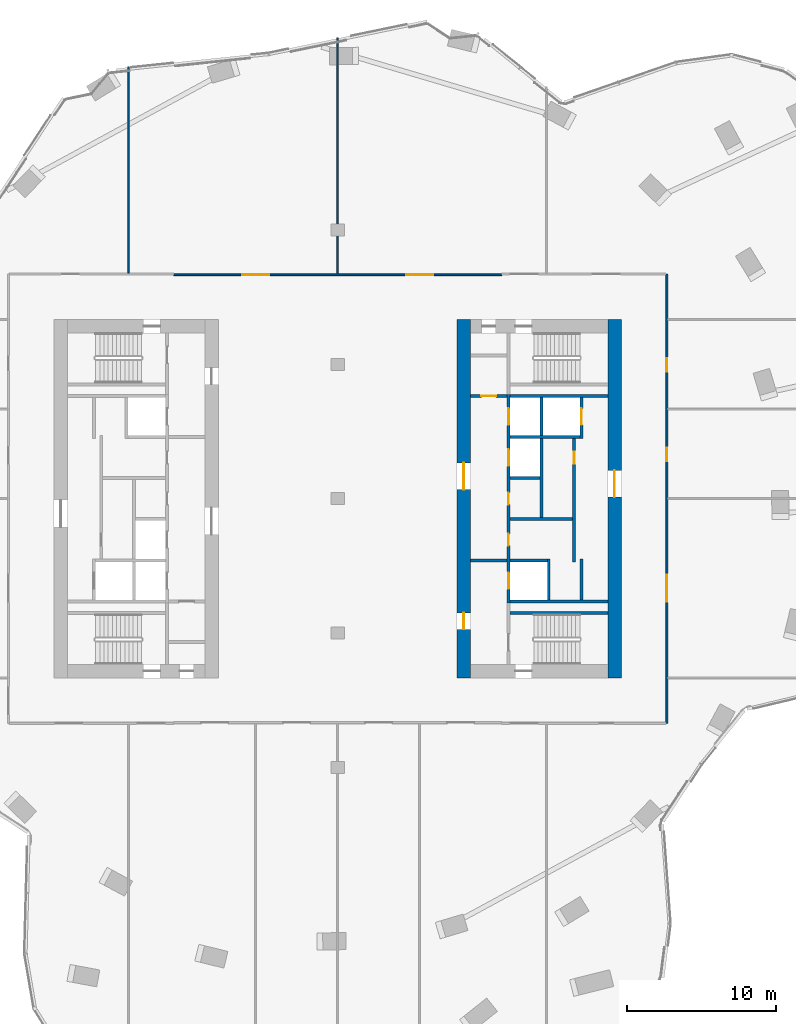
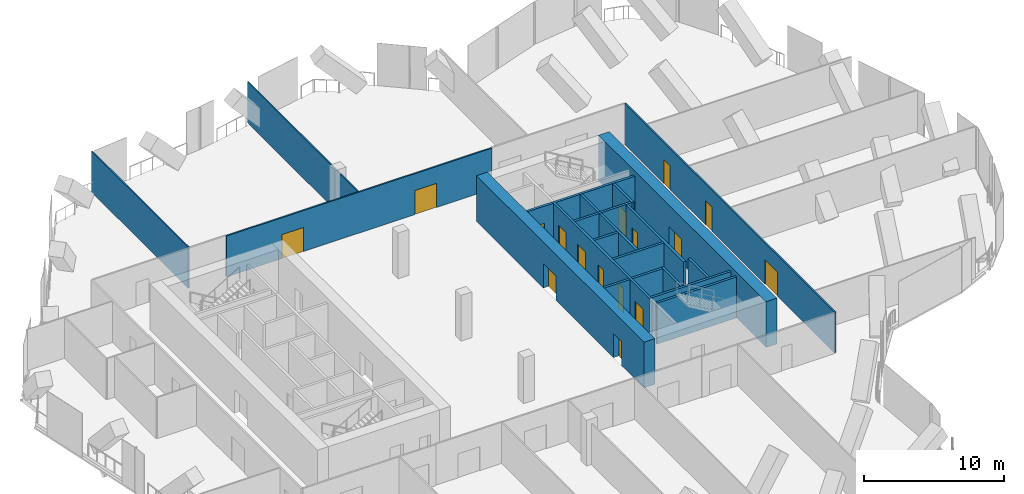
# One storey, part 21 of 26: 22 walls, 16 doors, 16 openings.
"""IFC4 building model written with IfcOpenShell, lengths in metres."""

from ifc_helpers import new_model, si_unit, direction, frame, frame_2d, origin, place, context, subcontext, project, spatial, rectangle, extrude, material, layer, layer_set, type_object, element, fill, save


model = new_model("IFC4")

# Units and contexts
model_context = context("Model", 3, precision=1e-05, world=origin(), true_north=direction((0.0, 1.0)))
body_context = subcontext(model_context, "Body", "Model", "MODEL_VIEW")
ifc_project = project(units=[si_unit("LENGTHUNIT", "METRE"), si_unit("AREAUNIT", "SQUARE_METRE"), si_unit("VOLUMEUNIT", "CUBIC_METRE"), si_unit("PLANEANGLEUNIT", "RADIAN"), si_unit("MASSUNIT", "GRAM", prefix="KILO")], contexts=[model_context])

# Site, building, storey
site_placement = place(None, origin())
site = spatial("IfcSite", under=ifc_project, at=site_placement, CompositionType="ELEMENT")
building_placement = place(site_placement, origin())
building = spatial("IfcBuilding", under=site, at=building_placement, Name="Orlundy Tower", CompositionType="ELEMENT")
storey_placement = place(building_placement, frame((0.0, 0.0, 228.0)))
storey = spatial("IfcBuildingStorey", under=building, at=storey_placement, Name="L60", CompositionType="ELEMENT", Elevation=228.0)

# Wall, openings, doors
ifc_material_1 = material(Name="Concrete C60/75", Category="concrete")
ifc_layer_1 = layer(ifc_material_1, 0.89990234375)
ifc_layer_set_1 = layer_set([ifc_layer_1], Name="CORE WALL 900 C60/75")
wall_type_1 = type_object("IfcWallType", Name="CORE WALL 900 C60/75", PredefinedType="SHEAR", material=ifc_layer_set_1)
wall_1_placement = place(storey_placement, frame((8.449951171875, -12.0, 0.0), z_axis=(0.0, 0.0, 1.0), x_axis=(0.0, 1.0, 0.0)))
wall_1 = element("IfcWall", 1, at=wall_1_placement, inside=storey, type_object=wall_type_1, Name="Core wall E-W L60", PredefinedType="SHEAR", context=body_context, shape_type="SweptSolid", body=[
    extrude(rectangle(XDim=24.0, YDim=0.89990234375, at=frame_2d((12.0, 0.0))), origin(), (0.0, 0.0, 1.0), 4.0),
])
opening_1_placement = place(wall_1_placement, frame((12.60009765625, 0.0, 0.0)))
opening_1 = element("IfcOpeningElement", 2, at=opening_1_placement, cuts=wall_1, Name="Opening 46057", PredefinedType="OPENING", context=body_context, shape_type="SweptSolid", body=[
    extrude(rectangle(XDim=1.800048828125, YDim=2.10009765625, at=frame_2d((0.89990234375, 1.050048828125))), frame((0.0, 0.4599609375, 0.0), z_axis=(0.0, -1.0, 0.0), x_axis=(1.0, 0.0, 0.0)), (0.0, 0.0, 1.0), 0.919921875),
])
opening_2_placement = place(wall_1_placement, frame((3.25, 0.0, 0.0)))
opening_2 = element("IfcOpeningElement", 3, at=opening_2_placement, cuts=wall_1, Name="Opening 46059", PredefinedType="OPENING", context=body_context, shape_type="SweptSolid", body=[
    extrude(rectangle(XDim=1.10009765625, YDim=2.10009765625, at=frame_2d((0.550048828125, 1.050048828125))), frame((0.0, 0.4599609375, 0.0), z_axis=(0.0, -1.0, 0.0), x_axis=(1.0, 0.0, 0.0)), (0.0, 0.0, 1.0), 0.919921875),
])
ifc_material_2 = material(Name="Steel door set", Category="steel")
door_type_1 = type_object("IfcDoorType", Name="Fire-fighting Lobby Door 1100x2100", OperationType="SINGLE_SWING_LEFT", PredefinedType="DOOR", material=ifc_material_2)
door_1_placement = place(opening_2_placement, origin())
door_1 = element("IfcDoor", 4, at=door_1_placement, inside=storey, type_object=door_type_1, Name="Fire-fighting lobby door 46059", OperationType="SINGLE_SWING_LEFT", OverallHeight=2.10009765625, OverallWidth=1.10009765625, PredefinedType="DOOR", context=body_context, shape_type="SweptSolid", body=[
    extrude(rectangle(XDim=1.10009765625, YDim=2.10009765625, at=frame_2d((0.550048828125, 1.050048828125))), frame((0.0, 0.02490234375, 0.0), z_axis=(0.0, -1.0, 0.0), x_axis=(1.0, 0.0, 0.0)), (0.0, 0.0, 1.0), 0.050048828125),
])
fill(opening_2, door_1)
ifc_material_3 = material(Name="Timber door set", Category="wood")
door_type_2 = type_object("IfcDoorType", Name="Lobby Door 1800x2100", OperationType="DOUBLE_DOOR_DOUBLE_SWING", PredefinedType="DOOR", material=ifc_material_3)
door_2_placement = place(opening_1_placement, origin())
door_2 = element("IfcDoor", 5, at=door_2_placement, inside=storey, type_object=door_type_2, Name="Lift lobby door 46057", OperationType="SINGLE_SWING_RIGHT", OverallHeight=2.10009765625, OverallWidth=1.800048828125, PredefinedType="DOOR", context=body_context, shape_type="SweptSolid", body=[
    extrude(rectangle(XDim=1.800048828125, YDim=2.10009765625, at=frame_2d((0.89990234375, 1.050048828125))), frame((0.0, 0.02490234375, 0.0), z_axis=(0.0, -1.0, 0.0), x_axis=(1.0, 0.0, 0.0)), (0.0, 0.0, 1.0), 0.050048828125),
])
fill(opening_1, door_2)

# Wall, opening, door
wall_2_placement = place(storey_placement, frame((18.550048828125, -12.0, 0.0), z_axis=(0.0, 0.0, 1.0), x_axis=(0.0, 1.0, 0.0)))
wall_2 = element("IfcWall", 6, at=wall_2_placement, inside=storey, type_object=wall_type_1, Name="Core wall E-E L60", PredefinedType="SHEAR", context=body_context, shape_type="SweptSolid", body=[
    extrude(rectangle(XDim=24.0, YDim=0.89990234375, at=frame_2d((12.0, 0.0))), origin(), (0.0, 0.0, 1.0), 4.0),
])
opening_3_placement = place(wall_2_placement, frame((12.10009765625, 0.0, 0.0)))
opening_3 = element("IfcOpeningElement", 7, at=opening_3_placement, cuts=wall_2, Name="Opening 46058", PredefinedType="OPENING", context=body_context, shape_type="SweptSolid", body=[
    extrude(rectangle(XDim=1.800048828125, YDim=2.10009765625, at=frame_2d((0.89990234375, 1.050048828125))), frame((0.0, 0.4599609375, 0.0), z_axis=(0.0, -1.0, 0.0), x_axis=(1.0, 0.0, 0.0)), (0.0, 0.0, 1.0), 0.919921875),
])
door_3_placement = place(opening_3_placement, origin())
door_3 = element("IfcDoor", 8, at=door_3_placement, inside=storey, type_object=door_type_2, Name="Lift lobby door 46058", OperationType="SINGLE_SWING_RIGHT", OverallHeight=2.10009765625, OverallWidth=1.800048828125, PredefinedType="DOOR", context=body_context, shape_type="SweptSolid", body=[
    extrude(rectangle(XDim=1.800048828125, YDim=2.10009765625, at=frame_2d((0.89990234375, 1.050048828125))), frame((0.0, 0.02490234375, 0.0), z_axis=(0.0, -1.0, 0.0), x_axis=(1.0, 0.0, 0.0)), (0.0, 0.0, 1.0), 0.050048828125),
])
fill(opening_3, door_3)

# Walls
ifc_material_4 = material(Name="Gypsum board partition")
ifc_layer_2 = layer(ifc_material_4, 0.10009765625)
ifc_layer_set_2 = layer_set([ifc_layer_2], Name="Floor partition 100")
wall_type_2 = type_object("IfcWallType", Name="Floor partition 100", PredefinedType="PARTITIONING", material=ifc_layer_set_2)
wall_3_placement = place(storey_placement, frame((0.0, 15.06298828125, 0.0), z_axis=(0.0, 0.0, 1.0), x_axis=(0.0, 1.0, 0.0)))
element("IfcWall", 9, at=wall_3_placement, inside=storey, type_object=wall_type_2, Name="wall-int-L60-020", PredefinedType="PARTITIONING", context=body_context, shape_type="SweptSolid", body=[
    extrude(rectangle(XDim=15.824951171875, YDim=0.10009765625, at=frame_2d((7.91259765625, 0.0))), origin(), (0.0, 0.0, 1.0), 3.580078125),
])
wall_4_placement = place(storey_placement, frame((-14.0, 15.114013671875, 0.0), z_axis=(0.0, 0.0, 1.0), x_axis=(0.0, 1.0, 0.0)))
element("IfcWall", 10, at=wall_4_placement, inside=storey, type_object=wall_type_2, Name="wall-int-L60-023", PredefinedType="PARTITIONING", context=body_context, shape_type="SweptSolid", body=[
    extrude(rectangle(XDim=13.8310546875, YDim=0.10009765625, at=frame_2d((6.91552734375, 0.0))), origin(), (0.0, 0.0, 1.0), 3.580078125),
])

# Wall, openings, doors
ifc_material_5 = material(Name="Gypsum board partition, double layer")
ifc_layer_3 = layer(ifc_material_5, 0.125)
ifc_layer_set_3 = layer_set([ifc_layer_3], Name="Floor partition 125")
wall_type_3 = type_object("IfcWallType", Name="Floor partition 125", PredefinedType="PARTITIONING", material=ifc_layer_set_3)
wall_5_placement = place(storey_placement, frame((-10.989990234375, 15.0009765625, 0.0), z_axis=(0.0, 0.0, 1.0), x_axis=(1.0, 0.0, 0.0)))
wall_5 = element("IfcWall", 11, at=wall_5_placement, inside=storey, type_object=wall_type_3, Name="wall-int-L60-012", PredefinedType="PARTITIONING", context=body_context, shape_type="SweptSolid", body=[
    extrude(rectangle(XDim=21.97998046875, YDim=0.125, at=frame_2d((10.989990234375, 0.0))), origin(), (0.0, 0.0, 1.0), 3.580078125),
])
opening_4_placement = place(wall_5_placement, frame((15.590087890625, 0.0, 0.0)))
opening_4 = element("IfcOpeningElement", 12, at=opening_4_placement, cuts=wall_5, Name="Opening 46113", PredefinedType="OPENING", context=body_context, shape_type="SweptSolid", body=[
    extrude(rectangle(XDim=1.800048828125, YDim=2.10009765625, at=frame_2d((0.89990234375, 1.050048828125))), frame((0.0, 0.072509765625, 0.0), z_axis=(0.0, -1.0, 0.0), x_axis=(1.0, 0.0, 0.0)), (0.0, 0.0, 1.0), 0.14501953125),
])
opening_5_placement = place(wall_5_placement, frame((4.60009765625, 0.0, 0.0)))
opening_5 = element("IfcOpeningElement", 13, at=opening_5_placement, cuts=wall_5, Name="Opening 46115", PredefinedType="OPENING", context=body_context, shape_type="SweptSolid", body=[
    extrude(rectangle(XDim=1.800048828125, YDim=2.10009765625, at=frame_2d((0.89990234375, 1.050048828125))), frame((0.0, 0.072509765625, 0.0), z_axis=(0.0, -1.0, 0.0), x_axis=(1.0, 0.0, 0.0)), (0.0, 0.0, 1.0), 0.14501953125),
])
ifc_material_6 = material(Name="Timber door leaf", Category="wood")
door_type_3 = type_object("IfcDoorType", Name="Floor door double 1800 FD30S", OperationType="NOTDEFINED", PredefinedType="DOOR", material=ifc_material_6)
door_4_placement = place(opening_4_placement, origin())
door_4 = element("IfcDoor", 14, at=door_4_placement, inside=storey, type_object=door_type_3, Name="Door 46113", OperationType="DOUBLE_DOOR_SINGLE_SWING", OverallHeight=2.10009765625, OverallWidth=1.800048828125, PredefinedType="DOOR", context=body_context, shape_type="SweptSolid", body=[
    extrude(rectangle(XDim=1.800048828125, YDim=2.10009765625, at=frame_2d((0.89990234375, 1.050048828125))), frame((0.0, 0.02490234375, 0.0), z_axis=(0.0, -1.0, 0.0), x_axis=(1.0, 0.0, 0.0)), (0.0, 0.0, 1.0), 0.050048828125),
])
fill(opening_4, door_4)
door_5_placement = place(opening_5_placement, origin())
door_5 = element("IfcDoor", 15, at=door_5_placement, inside=storey, type_object=door_type_3, Name="Door 46115", OperationType="DOUBLE_DOOR_SINGLE_SWING", OverallHeight=2.10009765625, OverallWidth=1.800048828125, PredefinedType="DOOR", context=body_context, shape_type="SweptSolid", body=[
    extrude(rectangle(XDim=1.800048828125, YDim=2.10009765625, at=frame_2d((0.89990234375, 1.050048828125))), frame((0.0, 0.02490234375, 0.0), z_axis=(0.0, -1.0, 0.0), x_axis=(1.0, 0.0, 0.0)), (0.0, 0.0, 1.0), 0.050048828125),
])
fill(opening_5, door_5)

wall_6_placement = place(storey_placement, frame((22.051025390625, 15.050048828125, 0.0), z_axis=(0.0, 0.0, 1.0), x_axis=(0.0, -1.0, 0.0)))
wall_6 = element("IfcWall", 16, at=wall_6_placement, inside=storey, type_object=wall_type_3, Name="wall-int-L60-015", PredefinedType="PARTITIONING", context=body_context, shape_type="SweptSolid", body=[
    extrude(rectangle(XDim=30.10009765625, YDim=0.125, at=frame_2d((15.050048828125, 0.0))), origin(), (0.0, 0.0, 1.0), 3.580078125),
])
opening_6_placement = place(wall_6_placement, frame((20.14990234375, 0.0, 0.0)))
opening_6 = element("IfcOpeningElement", 17, at=opening_6_placement, cuts=wall_6, Name="Opening 46109", PredefinedType="OPENING", context=body_context, shape_type="SweptSolid", body=[
    extrude(rectangle(XDim=1.800048828125, YDim=2.10009765625, at=frame_2d((0.89990234375, 1.050048828125))), frame((0.0, 0.072509765625, 0.0), z_axis=(0.0, -1.0, 0.0), x_axis=(1.0, 0.0, 0.0)), (0.0, 0.0, 1.0), 0.14501953125),
])
opening_7_placement = place(wall_6_placement, frame((11.64990234375, 0.0, 0.0)))
opening_7 = element("IfcOpeningElement", 18, at=opening_7_placement, cuts=wall_6, Name="Opening 46110", PredefinedType="OPENING", context=body_context, shape_type="SweptSolid", body=[
    extrude(rectangle(XDim=0.89990234375, YDim=2.10009765625, at=frame_2d((0.449951171875, 1.050048828125))), frame((0.0, 0.072509765625, 0.0), z_axis=(0.0, -1.0, 0.0), x_axis=(1.0, 0.0, 0.0)), (0.0, 0.0, 1.0), 0.14501953125),
])
opening_8_placement = place(wall_6_placement, frame((5.64990234375, 0.0, 0.0)))
opening_8 = element("IfcOpeningElement", 19, at=opening_8_placement, cuts=wall_6, Name="Opening 46111", PredefinedType="OPENING", context=body_context, shape_type="SweptSolid", body=[
    extrude(rectangle(XDim=0.89990234375, YDim=2.10009765625, at=frame_2d((0.449951171875, 1.050048828125))), frame((0.0, 0.072509765625, 0.0), z_axis=(0.0, -1.0, 0.0), x_axis=(1.0, 0.0, 0.0)), (0.0, 0.0, 1.0), 0.14501953125),
])
door_6_placement = place(opening_6_placement, origin())
door_6 = element("IfcDoor", 20, at=door_6_placement, inside=storey, type_object=door_type_3, Name="Door 46109", OperationType="DOUBLE_DOOR_SINGLE_SWING", OverallHeight=2.10009765625, OverallWidth=1.800048828125, PredefinedType="DOOR", context=body_context, shape_type="SweptSolid", body=[
    extrude(rectangle(XDim=1.800048828125, YDim=2.10009765625, at=frame_2d((0.89990234375, 1.050048828125))), frame((0.0, 0.02490234375, 0.0), z_axis=(0.0, -1.0, 0.0), x_axis=(1.0, 0.0, 0.0)), (0.0, 0.0, 1.0), 0.050048828125),
])
fill(opening_6, door_6)
ifc_material_7 = material(Name="Timber door leaf", Category="wood")
door_type_4 = type_object("IfcDoorType", Name="Floor door single 900 FD30S", OperationType="NOTDEFINED", PredefinedType="DOOR", material=ifc_material_7)
door_7_placement = place(opening_7_placement, origin())
door_7 = element("IfcDoor", 21, at=door_7_placement, inside=storey, type_object=door_type_4, Name="Door 46110", OperationType="SINGLE_SWING_LEFT", OverallHeight=2.10009765625, OverallWidth=0.89990234375, PredefinedType="DOOR", context=body_context, shape_type="SweptSolid", body=[
    extrude(rectangle(XDim=0.89990234375, YDim=2.10009765625, at=frame_2d((0.449951171875, 1.050048828125))), frame((0.0, 0.02490234375, 0.0), z_axis=(0.0, -1.0, 0.0), x_axis=(1.0, 0.0, 0.0)), (0.0, 0.0, 1.0), 0.050048828125),
])
fill(opening_7, door_7)
door_8_placement = place(opening_8_placement, origin())
door_8 = element("IfcDoor", 22, at=door_8_placement, inside=storey, type_object=door_type_4, Name="Door 46111", OperationType="SINGLE_SWING_LEFT", OverallHeight=2.10009765625, OverallWidth=0.89990234375, PredefinedType="DOOR", context=body_context, shape_type="SweptSolid", body=[
    extrude(rectangle(XDim=0.89990234375, YDim=2.10009765625, at=frame_2d((0.449951171875, 1.050048828125))), frame((0.0, 0.02490234375, 0.0), z_axis=(0.0, -1.0, 0.0), x_axis=(1.0, 0.0, 0.0)), (0.0, 0.0, 1.0), 0.050048828125),
])
fill(opening_8, door_8)

# Walls
ifc_material_8 = material(Name="Concrete C40/50", Category="concrete")
ifc_layer_4 = layer(ifc_material_8, 0.199951171875)
ifc_layer_set_4 = layer_set([ifc_layer_4], Name="Load-bearing Shaft Wall 200")
wall_type_4 = type_object("IfcWallType", Name="Load-bearing Shaft Wall 200", PredefinedType="SOLIDWALL", material=ifc_layer_set_4)
wall_7_placement = place(storey_placement, frame((11.5400390625, -7.64990234375, 0.0), z_axis=(0.0, 0.0, 1.0), x_axis=(1.0, 0.0, 0.0)))
element("IfcWall", 23, at=wall_7_placement, inside=storey, type_object=wall_type_4, Name="Shaft wall E46-stair-side-n", PredefinedType="SOLIDWALL", context=body_context, shape_type="SweptSolid", body=[
    extrude(rectangle(XDim=6.56005859375, YDim=0.199951171875, at=frame_2d((3.280029296875, 0.0))), origin(), (0.0, 0.0, 1.0), 3.590087890625),
])
ifc_material_9 = material(Name="Gypsum board partition on steel studs", Category="steel")
ifc_layer_5 = layer(ifc_material_9, 0.199951171875)
ifc_layer_set_5 = layer_set([ifc_layer_5], Name="Partition 200")
wall_type_5 = type_object("IfcWallType", Name="Partition 200", PredefinedType="PARTITIONING", material=ifc_layer_set_5)
wall_8_placement = place(storey_placement, frame((8.89990234375, -4.125, 0.0), z_axis=(0.0, 0.0, 1.0), x_axis=(1.0, 0.0, 0.0)))
element("IfcWall", 24, at=wall_8_placement, inside=storey, type_object=wall_type_5, Name="Partition wall E46-lobby-n", PredefinedType="PARTITIONING", context=body_context, shape_type="SweptSolid", body=[
    extrude(rectangle(XDim=2.440185546875, YDim=0.199951171875, at=frame_2d((1.22021484375, 0.0))), origin(), (0.0, 0.0, 1.0), 3.590087890625),
])

# Wall, opening, door
wall_9_placement = place(storey_placement, frame((8.89990234375, 6.875, 0.0), z_axis=(0.0, 0.0, 1.0), x_axis=(1.0, 0.0, 0.0)))
wall_9 = element("IfcWall", 25, at=wall_9_placement, inside=storey, type_object=wall_type_5, Name="Partition wall E46-end-s", PredefinedType="PARTITIONING", context=body_context, shape_type="SweptSolid", body=[
    extrude(rectangle(XDim=2.440185546875, YDim=0.199951171875, at=frame_2d((1.22021484375, 0.0))), origin(), (0.0, 0.0, 1.0), 3.590087890625),
])
opening_9_placement = place(wall_9_placement, frame((0.719970703125, 0.0, 0.0)))
opening_9 = element("IfcOpeningElement", 26, at=opening_9_placement, cuts=wall_9, Name="Opening 46064", PredefinedType="OPENING", context=body_context, shape_type="SweptSolid", body=[
    extrude(rectangle(XDim=1.0, YDim=2.10009765625, at=frame_2d((0.5, 1.050048828125))), frame((0.0, 0.110107421875, 0.0), z_axis=(0.0, -1.0, 0.0), x_axis=(1.0, 0.0, 0.0)), (0.0, 0.0, 1.0), 0.22021484375),
])
ifc_material_10 = material(Name="Timber door set", Category="wood")
door_type_5 = type_object("IfcDoorType", Name="Accessible Door 1000x2100", OperationType="SINGLE_SWING_LEFT", PredefinedType="DOOR", material=ifc_material_10)
door_9_placement = place(opening_9_placement, origin())
door_9 = element("IfcDoor", 27, at=door_9_placement, inside=storey, type_object=door_type_5, Name="Accessible WC door 46064", OperationType="SINGLE_SWING_RIGHT", OverallHeight=2.10009765625, OverallWidth=1.0, PredefinedType="DOOR", context=body_context, shape_type="SweptSolid", body=[
    extrude(rectangle(XDim=1.0, YDim=2.10009765625, at=frame_2d((0.5, 1.050048828125))), frame((0.0, 0.02490234375, 0.0), z_axis=(0.0, -1.0, 0.0), x_axis=(1.0, 0.0, 0.0)), (0.0, 0.0, 1.0), 0.050048828125),
])
fill(opening_9, door_9)

# Walls
ifc_material_11 = material(Name="Fire-rated blockwork shaft wall", Category="masonry")
ifc_layer_6 = layer(ifc_material_11, 0.199951171875)
ifc_layer_set_6 = layer_set([ifc_layer_6], Name="Shaft Wall 200")
wall_type_6 = type_object("IfcWallType", Name="Shaft Wall 200", PredefinedType="SOLIDWALL", material=ifc_layer_set_6)
for number, where, z_axis, x_axis, name in (
    (28, (11.5400390625, -6.875, 0.0), (0.0, 0.0, 1.0), (1.0, 0.0, 0.0), "Shaft wall E46-zone-n"),
    (29, (11.5400390625, 6.875, 0.0), (0.0, 0.0, 1.0), (1.0, 0.0, 0.0), "Shaft wall E46-zone-s"),
):
    element("IfcWall", number, at=place(storey_placement, frame(where, z_axis=z_axis, x_axis=x_axis)), inside=storey, type_object=wall_type_6, Name=name, PredefinedType="SOLIDWALL", context=body_context, shape_type="SweptSolid", body=[
        extrude(rectangle(XDim=6.56005859375, YDim=0.199951171875, at=frame_2d((3.280029296875, 0.0))), origin(), (0.0, 0.0, 1.0), 3.590087890625),
    ])
wall_10_placement = place(storey_placement, frame((11.5400390625, 4.125, 0.0), z_axis=(0.0, 0.0, 1.0), x_axis=(1.0, 0.0, 0.0)))
element("IfcWall", 30, at=wall_10_placement, inside=storey, type_object=wall_type_6, Name="Shaft wall E46-cross-4.125", PredefinedType="SOLIDWALL", context=body_context, shape_type="SweptSolid", body=[
    extrude(rectangle(XDim=4.699951171875, YDim=0.199951171875, at=frame_2d((2.35009765625, 0.0))), origin(), (0.0, 0.0, 1.0), 3.590087890625),
])
wall_11_placement = place(storey_placement, frame((11.5400390625, 1.375, 0.0), z_axis=(0.0, 0.0, 1.0), x_axis=(1.0, 0.0, 0.0)))
element("IfcWall", 31, at=wall_11_placement, inside=storey, type_object=wall_type_6, Name="Shaft wall E46-cross-1.375", PredefinedType="SOLIDWALL", context=body_context, shape_type="SweptSolid", body=[
    extrude(rectangle(XDim=2.0, YDim=0.199951171875, at=frame_2d((1.0, 0.0))), origin(), (0.0, 0.0, 1.0), 3.590087890625),
])
wall_12_placement = place(storey_placement, frame((11.5400390625, -1.375, 0.0), z_axis=(0.0, 0.0, 1.0), x_axis=(1.0, 0.0, 0.0)))
element("IfcWall", 32, at=wall_12_placement, inside=storey, type_object=wall_type_6, Name="Shaft wall E46-cross+1.375", PredefinedType="SOLIDWALL", context=body_context, shape_type="SweptSolid", body=[
    extrude(rectangle(XDim=4.199951171875, YDim=0.199951171875, at=frame_2d((2.10009765625, 0.0))), origin(), (0.0, 0.0, 1.0), 3.590087890625),
])
wall_13_placement = place(storey_placement, frame((11.5400390625, -4.125, 0.0), z_axis=(0.0, 0.0, 1.0), x_axis=(1.0, 0.0, 0.0)))
element("IfcWall", 33, at=wall_13_placement, inside=storey, type_object=wall_type_6, Name="Shaft wall E46-cross+4.125", PredefinedType="SOLIDWALL", context=body_context, shape_type="SweptSolid", body=[
    extrude(rectangle(XDim=2.5, YDim=0.199951171875, at=frame_2d((1.25, 0.0))), origin(), (0.0, 0.0, 1.0), 3.590087890625),
])

# Wall, openings, doors
wall_14_placement = place(storey_placement, frame((11.43994140625, 6.97509765625, 0.0), z_axis=(0.0, 0.0, 1.0), x_axis=(0.0, -1.0, 0.0)))
wall_14 = element("IfcWall", 34, at=wall_14_placement, inside=storey, type_object=wall_type_6, Name="Shaft wall E46-front-h", PredefinedType="SOLIDWALL", context=body_context, shape_type="SweptSolid", body=[
    extrude(rectangle(XDim=13.9501953125, YDim=0.199951171875, at=frame_2d((6.97509765625, 0.0))), origin(), (0.0, 0.0, 1.0), 3.590087890625),
])
opening_10_placement = place(wall_14_placement, frame((0.925048828125, 0.0, 0.0)))
opening_10 = element("IfcOpeningElement", 35, at=opening_10_placement, cuts=wall_14, Name="Opening 46050", PredefinedType="OPENING", context=body_context, shape_type="SweptSolid", body=[
    extrude(rectangle(XDim=1.10009765625, YDim=2.10009765625, at=frame_2d((0.550048828125, 1.050048828125))), frame((0.0, 0.110107421875, 0.0), z_axis=(0.0, -1.0, 0.0), x_axis=(1.0, 0.0, 0.0)), (0.0, 0.0, 1.0), 0.22021484375),
])
opening_11_placement = place(wall_14_placement, frame((3.675048828125, 0.0, 0.0)))
opening_11 = element("IfcOpeningElement", 36, at=opening_11_placement, cuts=wall_14, Name="Opening 46052", PredefinedType="OPENING", context=body_context, shape_type="SweptSolid", body=[
    extrude(rectangle(XDim=1.10009765625, YDim=2.10009765625, at=frame_2d((0.550048828125, 1.050048828125))), frame((0.0, 0.110107421875, 0.0), z_axis=(0.0, -1.0, 0.0), x_axis=(1.0, 0.0, 0.0)), (0.0, 0.0, 1.0), 0.22021484375),
])
opening_12_placement = place(wall_14_placement, frame((11.925048828125, 0.0, 0.0)))
opening_12 = element("IfcOpeningElement", 37, at=opening_12_placement, cuts=wall_14, Name="Opening 46053", PredefinedType="OPENING", context=body_context, shape_type="SweptSolid", body=[
    extrude(rectangle(XDim=1.10009765625, YDim=2.10009765625, at=frame_2d((0.550048828125, 1.050048828125))), frame((0.0, 0.110107421875, 0.0), z_axis=(0.0, -1.0, 0.0), x_axis=(1.0, 0.0, 0.0)), (0.0, 0.0, 1.0), 0.22021484375),
])
opening_13_placement = place(wall_14_placement, frame((6.574951171875, 0.0, 0.0)))
opening_13 = element("IfcOpeningElement", 38, at=opening_13_placement, cuts=wall_14, Name="Opening 46055", PredefinedType="OPENING", context=body_context, shape_type="SweptSolid", body=[
    extrude(rectangle(XDim=0.800048828125, YDim=2.10009765625, at=frame_2d((0.39990234375, 1.050048828125))), frame((0.0, 0.110107421875, 0.0), z_axis=(0.0, -1.0, 0.0), x_axis=(1.0, 0.0, 0.0)), (0.0, 0.0, 1.0), 0.22021484375),
])
opening_14_placement = place(wall_14_placement, frame((9.324951171875, 0.0, 0.0)))
opening_14 = element("IfcOpeningElement", 39, at=opening_14_placement, cuts=wall_14, Name="Opening 46056", PredefinedType="OPENING", context=body_context, shape_type="SweptSolid", body=[
    extrude(rectangle(XDim=0.800048828125, YDim=2.10009765625, at=frame_2d((0.39990234375, 1.050048828125))), frame((0.0, 0.110107421875, 0.0), z_axis=(0.0, -1.0, 0.0), x_axis=(1.0, 0.0, 0.0)), (0.0, 0.0, 1.0), 0.22021484375),
])
ifc_material_12 = material(Name="Steel door set", Category="steel")
door_type_6 = type_object("IfcDoorType", Name="Landing Door 1100x2100", OperationType="DOUBLE_DOOR_SLIDING", PredefinedType="DOOR", material=ifc_material_12)
door_10_placement = place(opening_10_placement, origin())
door_10 = element("IfcDoor", 40, at=door_10_placement, inside=storey, type_object=door_type_6, Name="Lift landing door LP-24 46050", OperationType="DOUBLE_DOOR_SLIDING", OverallHeight=2.10009765625, OverallWidth=1.10009765625, PredefinedType="DOOR", context=body_context, shape_type="SweptSolid", body=[
    extrude(rectangle(XDim=1.10009765625, YDim=2.10009765625, at=frame_2d((0.550048828125, 1.050048828125))), frame((0.0, 0.02490234375, 0.0), z_axis=(0.0, -1.0, 0.0), x_axis=(1.0, 0.0, 0.0)), (0.0, 0.0, 1.0), 0.050048828125),
])
fill(opening_10, door_10)
door_11_placement = place(opening_11_placement, origin())
door_11 = element("IfcDoor", 41, at=door_11_placement, inside=storey, type_object=door_type_6, Name="Lift landing door LP-23 46052", OperationType="DOUBLE_DOOR_SLIDING", OverallHeight=2.10009765625, OverallWidth=1.10009765625, PredefinedType="DOOR", context=body_context, shape_type="SweptSolid", body=[
    extrude(rectangle(XDim=1.10009765625, YDim=2.10009765625, at=frame_2d((0.550048828125, 1.050048828125))), frame((0.0, 0.02490234375, 0.0), z_axis=(0.0, -1.0, 0.0), x_axis=(1.0, 0.0, 0.0)), (0.0, 0.0, 1.0), 0.050048828125),
])
fill(opening_11, door_11)
door_12_placement = place(opening_12_placement, origin())
door_12 = element("IfcDoor", 42, at=door_12_placement, inside=storey, type_object=door_type_6, Name="Lift landing door FL2 46053", OperationType="DOUBLE_DOOR_SLIDING", OverallHeight=2.10009765625, OverallWidth=1.10009765625, PredefinedType="DOOR", context=body_context, shape_type="SweptSolid", body=[
    extrude(rectangle(XDim=1.10009765625, YDim=2.10009765625, at=frame_2d((0.550048828125, 1.050048828125))), frame((0.0, 0.02490234375, 0.0), z_axis=(0.0, -1.0, 0.0), x_axis=(1.0, 0.0, 0.0)), (0.0, 0.0, 1.0), 0.050048828125),
])
fill(opening_12, door_12)
ifc_material_13 = material(Name="Timber door set", Category="wood")
door_type_7 = type_object("IfcDoorType", Name="Riser Door 800x2100", OperationType="SINGLE_SWING_LEFT", PredefinedType="DOOR", material=ifc_material_13)
door_13_placement = place(opening_13_placement, origin())
door_13 = element("IfcDoor", 43, at=door_13_placement, inside=storey, type_object=door_type_7, Name="Coat Store door 46055", OperationType="SINGLE_SWING_LEFT", OverallHeight=2.10009765625, OverallWidth=0.800048828125, PredefinedType="DOOR", context=body_context, shape_type="SweptSolid", body=[
    extrude(rectangle(XDim=0.800048828125, YDim=2.10009765625, at=frame_2d((0.39990234375, 1.050048828125))), frame((0.0, 0.02490234375, 0.0), z_axis=(0.0, -1.0, 0.0), x_axis=(1.0, 0.0, 0.0)), (0.0, 0.0, 1.0), 0.050048828125),
])
fill(opening_13, door_13)
door_14_placement = place(opening_14_placement, origin())
door_14 = element("IfcDoor", 44, at=door_14_placement, inside=storey, type_object=door_type_7, Name="Parcel Store door 46056", OperationType="SINGLE_SWING_LEFT", OverallHeight=2.10009765625, OverallWidth=0.800048828125, PredefinedType="DOOR", context=body_context, shape_type="SweptSolid", body=[
    extrude(rectangle(XDim=0.800048828125, YDim=2.10009765625, at=frame_2d((0.39990234375, 1.050048828125))), frame((0.0, 0.02490234375, 0.0), z_axis=(0.0, -1.0, 0.0), x_axis=(1.0, 0.0, 0.0)), (0.0, 0.0, 1.0), 0.050048828125),
])
fill(opening_14, door_14)

# Walls
wall_15_placement = place(storey_placement, frame((13.639892578125, 6.77490234375, 0.0), z_axis=(0.0, 0.0, 1.0), x_axis=(0.0, -1.0, 0.0)))
element("IfcWall", 45, at=wall_15_placement, inside=storey, type_object=wall_type_6, Name="Shaft wall E46-mid-a", PredefinedType="SOLIDWALL", context=body_context, shape_type="SweptSolid", body=[
    extrude(rectangle(XDim=2.5498046875, YDim=0.199951171875, at=frame_2d((1.27490234375, 0.0))), origin(), (0.0, 0.0, 1.0), 3.590087890625),
])
wall_16_placement = place(storey_placement, frame((13.639892578125, 4.02490234375, 0.0), z_axis=(0.0, 0.0, 1.0), x_axis=(0.0, -1.0, 0.0)))
element("IfcWall", 46, at=wall_16_placement, inside=storey, type_object=wall_type_6, Name="Shaft wall E46-mid-a.1", PredefinedType="SOLIDWALL", context=body_context, shape_type="SweptSolid", body=[
    extrude(rectangle(XDim=5.2998046875, YDim=0.199951171875, at=frame_2d((2.64990234375, 0.0))), origin(), (0.0, 0.0, 1.0), 3.590087890625),
])
wall_17_placement = place(storey_placement, frame((14.139892578125, -4.02490234375, 0.0), z_axis=(0.0, 0.0, 1.0), x_axis=(0.0, -1.0, 0.0)))
element("IfcWall", 47, at=wall_17_placement, inside=storey, type_object=wall_type_6, Name="Shaft wall E46-mid-b", PredefinedType="SOLIDWALL", context=body_context, shape_type="SweptSolid", body=[
    extrude(rectangle(XDim=2.75, YDim=0.199951171875, at=frame_2d((1.375, 0.0))), origin(), (0.0, 0.0, 1.0), 3.590087890625),
])

# Wall, opening, door
wall_18_placement = place(storey_placement, frame((16.340087890625, 6.77490234375, 0.0), z_axis=(0.0, 0.0, 1.0), x_axis=(0.0, -1.0, 0.0)))
wall_18 = element("IfcWall", 48, at=wall_18_placement, inside=storey, type_object=wall_type_6, Name="Shaft wall E46-front-o-a", PredefinedType="SOLIDWALL", context=body_context, shape_type="SweptSolid", body=[
    extrude(rectangle(XDim=2.75, YDim=0.199951171875, at=frame_2d((1.375, 0.0))), origin(), (0.0, 0.0, 1.0), 3.590087890625),
])
opening_15_placement = place(wall_18_placement, frame((0.72509765625, 0.0, 0.0)))
opening_15 = element("IfcOpeningElement", 49, at=opening_15_placement, cuts=wall_18, Name="Opening 46051", PredefinedType="OPENING", context=body_context, shape_type="SweptSolid", body=[
    extrude(rectangle(XDim=1.10009765625, YDim=2.10009765625, at=frame_2d((0.550048828125, 1.050048828125))), frame((0.0, 0.110107421875, 0.0), z_axis=(0.0, -1.0, 0.0), x_axis=(1.0, 0.0, 0.0)), (0.0, 0.0, 1.0), 0.22021484375),
])
door_15_placement = place(opening_15_placement, origin())
door_15 = element("IfcDoor", 50, at=door_15_placement, inside=storey, type_object=door_type_6, Name="Lift landing door LV-02 46051", OperationType="DOUBLE_DOOR_SLIDING", OverallHeight=2.10009765625, OverallWidth=1.10009765625, PredefinedType="DOOR", context=body_context, shape_type="SweptSolid", body=[
    extrude(rectangle(XDim=1.10009765625, YDim=2.10009765625, at=frame_2d((0.550048828125, 1.050048828125))), frame((0.0, 0.02490234375, 0.0), z_axis=(0.0, -1.0, 0.0), x_axis=(1.0, 0.0, 0.0)), (0.0, 0.0, 1.0), 0.050048828125),
])
fill(opening_15, door_15)

wall_19_placement = place(storey_placement, frame((15.840087890625, 4.02490234375, 0.0), z_axis=(0.0, 0.0, 1.0), x_axis=(0.0, -1.0, 0.0)))
wall_19 = element("IfcWall", 51, at=wall_19_placement, inside=storey, type_object=wall_type_6, Name="Shaft wall E46-front-o-b", PredefinedType="SOLIDWALL", context=body_context, shape_type="SweptSolid", body=[
    extrude(rectangle(XDim=8.25, YDim=0.199951171875, at=frame_2d((4.125, 0.0))), origin(), (0.0, 0.0, 1.0), 3.590087890625),
])
opening_16_placement = place(wall_19_placement, frame((0.875, 0.0, 0.0)))
opening_16 = element("IfcOpeningElement", 52, at=opening_16_placement, cuts=wall_19, Name="Opening 46054", PredefinedType="OPENING", context=body_context, shape_type="SweptSolid", body=[
    extrude(rectangle(XDim=0.800048828125, YDim=2.10009765625, at=frame_2d((0.39990234375, 1.050048828125))), frame((0.0, 0.110107421875, 0.0), z_axis=(0.0, -1.0, 0.0), x_axis=(1.0, 0.0, 0.0)), (0.0, 0.0, 1.0), 0.22021484375),
])
door_16_placement = place(opening_16_placement, origin())
door_16 = element("IfcDoor", 53, at=door_16_placement, inside=storey, type_object=door_type_7, Name="Printer Paper Store door 46054", OperationType="SINGLE_SWING_LEFT", OverallHeight=2.10009765625, OverallWidth=0.800048828125, PredefinedType="DOOR", context=body_context, shape_type="SweptSolid", body=[
    extrude(rectangle(XDim=0.800048828125, YDim=2.10009765625, at=frame_2d((0.39990234375, 1.050048828125))), frame((0.0, 0.02490234375, 0.0), z_axis=(0.0, -1.0, 0.0), x_axis=(1.0, 0.0, 0.0)), (0.0, 0.0, 1.0), 0.050048828125),
])
fill(opening_16, door_16)

# Wall
wall_20_placement = place(storey_placement, frame((16.340087890625, -4.02490234375, 0.0), z_axis=(0.0, 0.0, 1.0), x_axis=(0.0, -1.0, 0.0)))
element("IfcWall", 54, at=wall_20_placement, inside=storey, type_object=wall_type_6, Name="Shaft wall E46-front-o-c", PredefinedType="SOLIDWALL", context=body_context, shape_type="SweptSolid", body=[
    extrude(rectangle(XDim=2.75, YDim=0.199951171875, at=frame_2d((1.375, 0.0))), origin(), (0.0, 0.0, 1.0), 3.590087890625),
])

save(model, "model.ifc")
